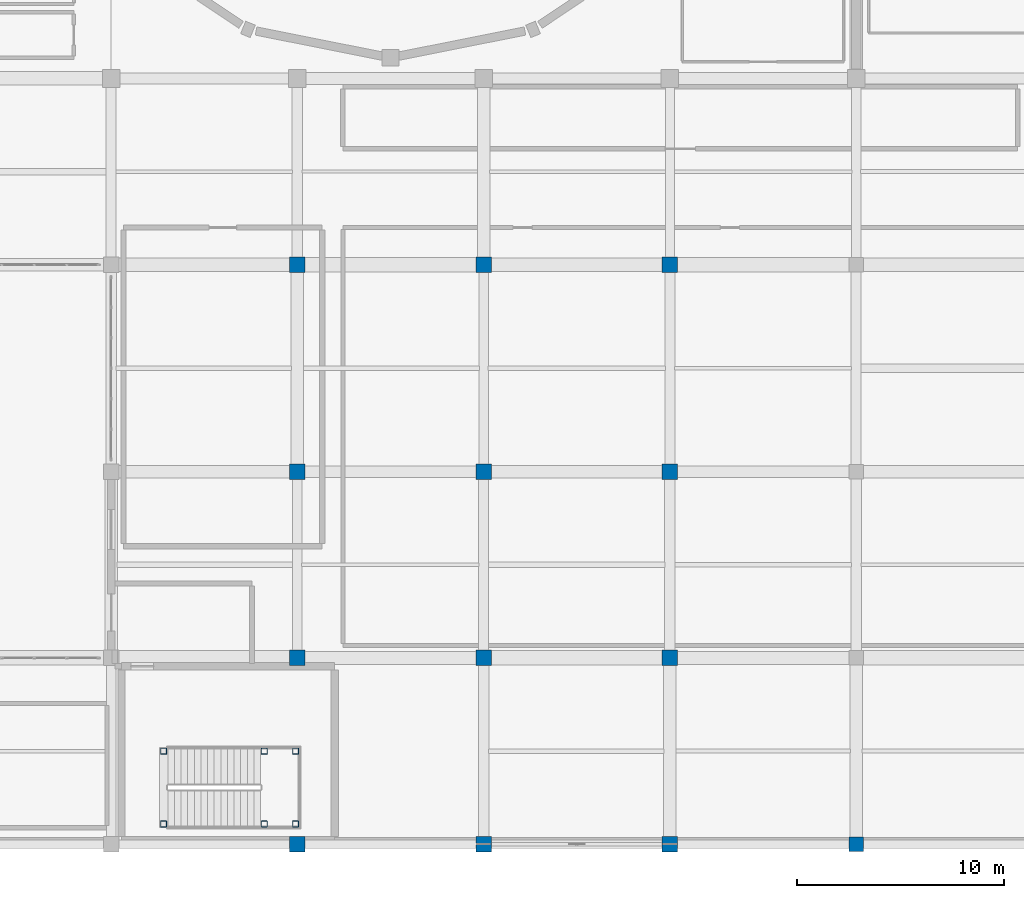
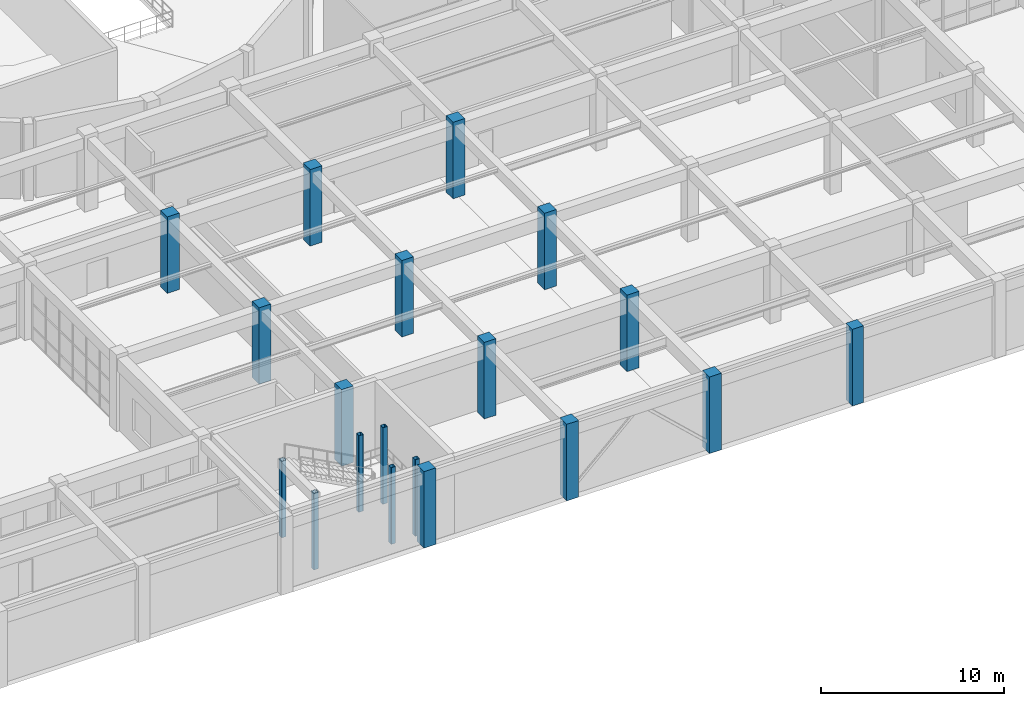
# One storey, part 4 of 128: 19 columns.
"""IFC4 building model written with IfcOpenShell, lengths in metres."""

from ifc_helpers import new_model, si_unit, direction, frame, origin, origin_2d, place, context, subcontext, project, spatial, rectangle, hollow_rectangle, extrude, material, material_profile, profile_set, type_object, element, save


model = new_model("IFC4")

# Units and contexts
model_context = context("Model", 3, precision=1e-05, world=origin(), true_north=direction((0.0, 1.0)))
body_context = subcontext(model_context, "Body", "Model", "MODEL_VIEW")
ifc_project = project(units=[si_unit("LENGTHUNIT", "METRE"), si_unit("AREAUNIT", "SQUARE_METRE"), si_unit("VOLUMEUNIT", "CUBIC_METRE"), si_unit("PLANEANGLEUNIT", "RADIAN"), si_unit("MASSUNIT", "GRAM", prefix="KILO")], contexts=[model_context])

# Site, building, storey
site_placement = place(None, origin())
site = spatial("IfcSite", under=ifc_project, at=site_placement, CompositionType="ELEMENT")
building_placement = place(site_placement, origin())
building = spatial("IfcBuilding", under=site, at=building_placement, Name="Miravela Opera House", CompositionType="ELEMENT")
storey_placement = place(building_placement, origin())
storey = spatial("IfcBuildingStorey", under=building, at=storey_placement, Name="L00", CompositionType="ELEMENT", Elevation=0.0)

# Columns
ifc_material_1 = material(Name="Hollow structural steel ASTM A500 Gr. C", Category="steel")
ifc_material_profile_1 = material_profile(ifc_material_1, hollow_rectangle(XDim=0.300048828125, YDim=0.300048828125, WallThickness=0.01611328125, InnerFilletRadius=0.01611328125, OuterFilletRadius=0.031982421875, at=origin_2d()), Name="HSS300X300X16")
ifc_profile_set_1 = profile_set([ifc_material_profile_1])
column_type_1 = type_object("IfcColumnType", Name="STR-COL-HSS300", PredefinedType="COLUMN", material=ifc_profile_set_1)
for number, where, z_axis, x_axis, name in (
    (1, (65.5400390625, 0.97998046875, 0.0), (0.0, 0.0, 1.0), (1.0, 0.0, 0.0), "Stair K6 Landing Support Column 1 (L00)"),
    (2, (65.5400390625, 4.5, 0.0), (0.0, 0.0, 1.0), (1.0, 0.0, 0.0), "Stair K6 Landing Support Column 2 (L00)"),
    (3, (70.39990234375, 0.97998046875, 0.0), (0.0, 0.0, 1.0), (1.0, 0.0, 0.0), "Stair K6 Landing Support Column 3 (L00)"),
    (4, (70.39990234375, 4.5, 0.0), (0.0, 0.0, 1.0), (1.0, 0.0, 0.0), "Stair K6 Landing Support Column 4 (L00)"),
    (5, (71.919921875, 0.97998046875, 0.0), (0.0, 0.0, 1.0), (1.0, 0.0, 0.0), "Stair K6 Landing Support Column 5 (L00)"),
    (6, (71.919921875, 4.5, 0.0), (0.0, 0.0, 1.0), (1.0, 0.0, 0.0), "Stair K6 Landing Support Column 6 (L00)"),
):
    element("IfcColumn", number, at=place(storey_placement, frame(where, z_axis=z_axis, x_axis=x_axis)), inside=storey, type_object=column_type_1, Name=name, PredefinedType="COLUMN", context=body_context, shape_type="SweptSolid", body=[
        extrude(hollow_rectangle(XDim=0.300048828125, YDim=0.300048828125, WallThickness=0.01611328125, InnerFilletRadius=0.01611328125, OuterFilletRadius=0.031982421875, at=origin_2d()), origin(), (0.0, 0.0, 1.0), 5.10009765625),
    ])
ifc_material_2 = material(Name="Concrete C35/45", Category="concrete")
ifc_material_profile_2 = material_profile(ifc_material_2, rectangle(XDim=0.699951171875, YDim=0.699951171875, at=origin_2d()), Name="RC-COL-700X700")
ifc_profile_set_2 = profile_set([ifc_material_profile_2])
column_type_2 = type_object("IfcColumnType", Name="STR-COL-RC700", PredefinedType="COLUMN", material=ifc_profile_set_2)
column_placement = place(storey_placement, frame((99.0, 0.0, 0.0), z_axis=(0.0, 0.0, 1.0), x_axis=(1.0, 0.0, 0.0)))
element("IfcColumn", 7, at=column_placement, inside=storey, type_object=column_type_2, Name="Column C-12A (L00)", PredefinedType="COLUMN", context=body_context, shape_type="SweptSolid", body=[
    extrude(rectangle(XDim=0.699951171875, YDim=0.699951171875, at=origin_2d()), origin(), (0.0, 0.0, 1.0), 5.10009765625),
])
ifc_material_profile_3 = material_profile(ifc_material_2, rectangle(XDim=0.75, YDim=0.75, at=origin_2d()), Name="RC-COL-750X750")
ifc_profile_set_3 = profile_set([ifc_material_profile_3])
column_type_3 = type_object("IfcColumnType", Name="STR-COL-RC750", PredefinedType="COLUMN", material=ifc_profile_set_3)
for number, where, z_axis, x_axis, name in (
    (8, (81.0, 0.0, 0.0), (0.0, 0.0, 1.0), (1.0, 0.0, 0.0), "Column C-10A (L00)"),
    (9, (81.0, 9.0, 0.0), (0.0, 0.0, 1.0), (1.0, 0.0, 0.0), "Column C-10B (L00)"),
    (10, (81.0, 18.0, 0.0), (0.0, 0.0, 1.0), (1.0, 0.0, 0.0), "Column C-10C (L00)"),
    (11, (81.0, 28.0, 0.0), (0.0, 0.0, 1.0), (1.0, 0.0, 0.0), "Column C-10D (L00)"),
    (12, (90.0, 0.0, 0.0), (0.0, 0.0, 1.0), (1.0, 0.0, 0.0), "Column C-11A (L00)"),
    (13, (90.0, 9.0, 0.0), (0.0, 0.0, 1.0), (1.0, 0.0, 0.0), "Column C-11B (L00)"),
    (14, (90.0, 18.0, 0.0), (0.0, 0.0, 1.0), (1.0, 0.0, 0.0), "Column C-11C (L00)"),
    (15, (90.0, 28.0, 0.0), (0.0, 0.0, 1.0), (1.0, 0.0, 0.0), "Column C-11D (L00)"),
    (16, (72.0, 0.0, 0.0), (0.0, 0.0, 1.0), (1.0, 0.0, 0.0), "Column C-9A (L00)"),
    (17, (72.0, 9.0, 0.0), (0.0, 0.0, 1.0), (1.0, 0.0, 0.0), "Column C-9B (L00)"),
    (18, (72.0, 18.0, 0.0), (0.0, 0.0, 1.0), (1.0, 0.0, 0.0), "Column C-9C (L00)"),
    (19, (72.0, 28.0, 0.0), (0.0, 0.0, 1.0), (1.0, 0.0, 0.0), "Column C-9D (L00)"),
):
    element("IfcColumn", number, at=place(storey_placement, frame(where, z_axis=z_axis, x_axis=x_axis)), inside=storey, type_object=column_type_3, Name=name, PredefinedType="COLUMN", context=body_context, shape_type="SweptSolid", body=[
        extrude(rectangle(XDim=0.75, YDim=0.75, at=origin_2d()), origin(), (0.0, 0.0, 1.0), 5.10009765625),
    ])

save(model, "model.ifc")
